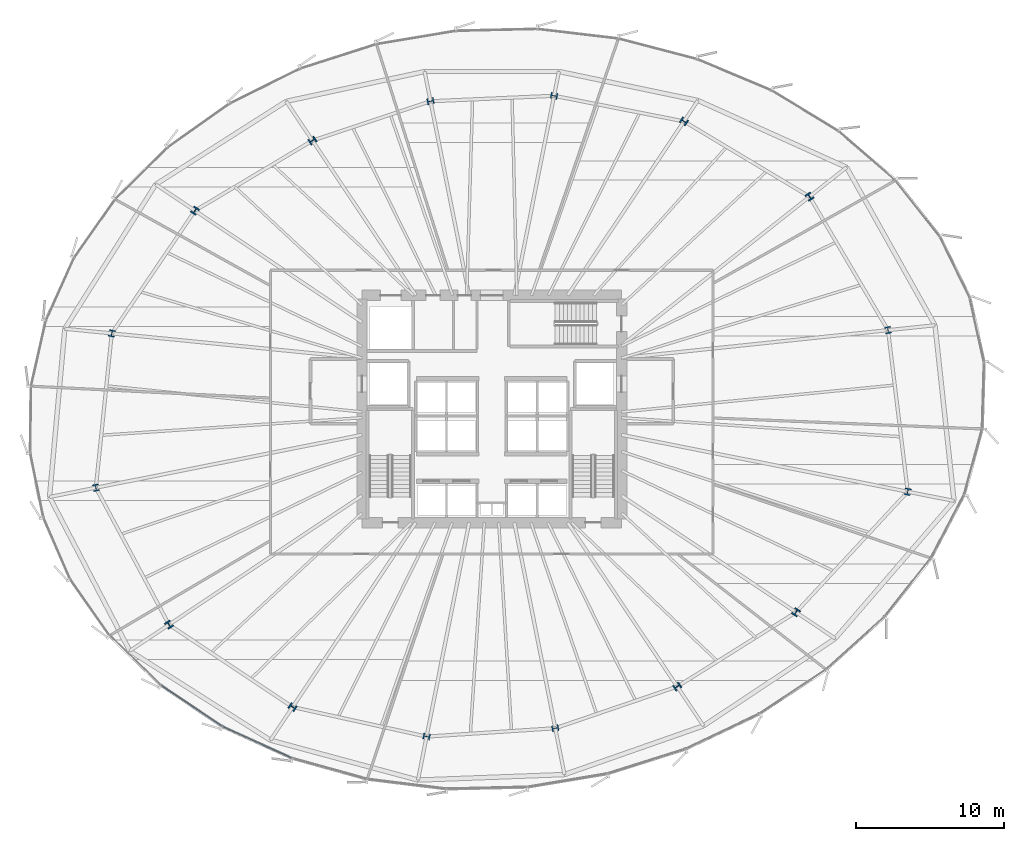
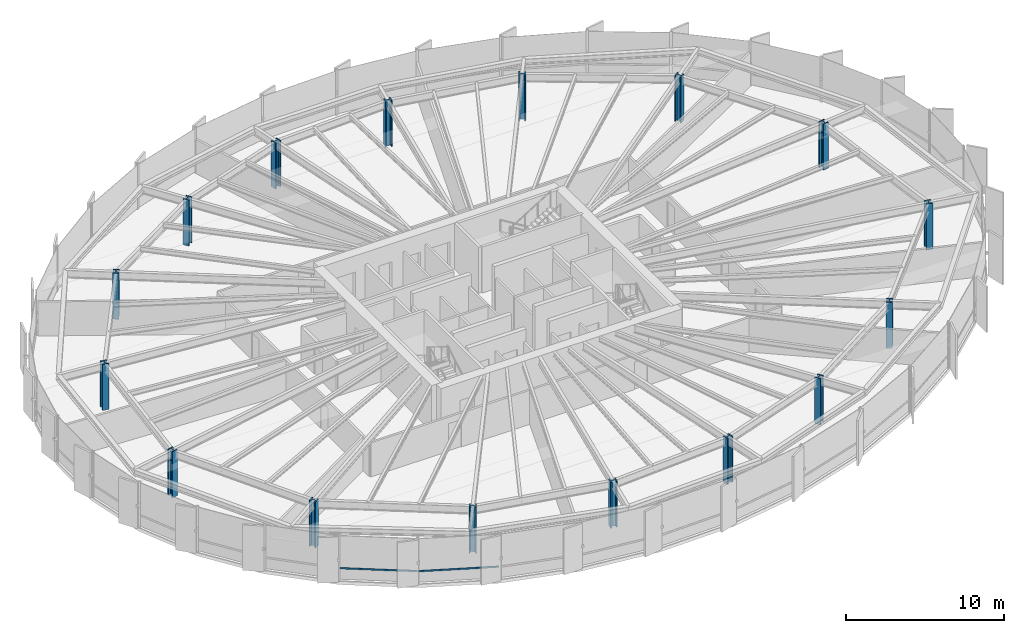
# One storey, part 1 of 38: 16 columns, 2 members, 1 element without a shape of its own.
"""IFC4 building model written with IfcOpenShell, lengths in metres."""

from ifc_helpers import new_model, si_unit, direction, frame, origin, origin_2d, place, context, subcontext, project, spatial, hollow_rectangle, i_section, extrude, source, transform, mapped, material, layer, layer_set, material_profile, profile_set, type_object, element, aggregate, save


model = new_model("IFC4")

# Units and contexts
model_context = context("Model", 3, precision=1e-05, world=origin(), true_north=direction((0.0, 1.0)))
body_context = subcontext(model_context, "Body", "Model", "MODEL_VIEW")
ifc_project = project(units=[si_unit("LENGTHUNIT", "METRE"), si_unit("AREAUNIT", "SQUARE_METRE"), si_unit("VOLUMEUNIT", "CUBIC_METRE"), si_unit("PLANEANGLEUNIT", "RADIAN"), si_unit("MASSUNIT", "GRAM", prefix="KILO"), si_unit("THERMODYNAMICTEMPERATUREUNIT", "KELVIN")], contexts=[model_context])

# Site, building, storey
site_placement = place(None, origin())
site = spatial("IfcSite", under=ifc_project, at=site_placement, CompositionType="ELEMENT")
building_placement = place(site_placement, origin())
building = spatial("IfcBuilding", under=site, at=building_placement, Name="Kethvar Cultural Tower", CompositionType="ELEMENT")
storey_placement = place(building_placement, frame((0.0, 0.0, 52.39990234375)))
storey = spatial("IfcBuildingStorey", under=building, at=storey_placement, Name="L12", CompositionType="ELEMENT", Elevation=52.39990234375)

# Columns
ifc_material_1 = material(Name="Steel S460M", Category="steel")
ifc_material_profile_1 = material_profile(ifc_material_1, i_section(OverallWidth=0.423095703125, OverallDepth=0.468994140625, WebThickness=0.051025390625, FlangeThickness=0.0810546875, FilletRadius=0.014892578125, at=origin_2d()), Name="Steel S460M — HD400x1086")
ifc_profile_set_1 = profile_set([ifc_material_profile_1], Name="Steel S460M — HD400x1086")
column_type = type_object("IfcColumnType", Name="COL-HD1086", PredefinedType="COLUMN", material=ifc_profile_set_1)
shared_shape_1 = source(origin(), body_context, "Body", "SweptSolid", [
    extrude(i_section(OverallWidth=0.423095703125, OverallDepth=0.468994140625, WebThickness=0.051025390625, FlangeThickness=0.0810546875, FilletRadius=0.014892578125, at=origin_2d()), origin(), (0.0, 0.0, 1.0), 3.550048828125),
])
for number, where, z_axis, x_axis, name in (
    (1, (73.65673828125, 33.14208984375, 0.0), (0.0, 0.0, 1.0), (0.980785280403, 0.195090322016, 0.0), "L12 Mega-Column MC-01"),
    (2, (68.33642578125, 42.190185546875, 0.0), (0.0, 0.0, 1.0), (0.831469612303, 0.55557023302, 0.0), "L12 Mega-Column MC-02"),
    (3, (59.824951171875, 47.293212890625, 0.0), (0.0, 0.0, 1.0), (0.55557023302, 0.831469612303, 0.0), "L12 Mega-Column MC-03"),
    (4, (51.022216796875, 49.02587890625, 0.0), (0.0, 0.0, 1.0), (0.195090322016, 0.980785280403, 0.0), "L12 Mega-Column MC-04"),
    (5, (42.651611328125, 48.65576171875, 0.0), (0.0, 0.0, 1.0), (-0.195090322016, 0.980785280403, 0.0), "L12 Mega-Column MC-05"),
    (6, (34.64599609375, 45.98974609375, 0.0), (0.0, 0.0, 1.0), (-0.55557023302, 0.831469612303, 0.0), "L12 Mega-Column MC-06"),
    (7, (26.6845703125, 41.24072265625, 0.0), (0.0, 0.0, 1.0), (-0.831469612303, 0.55557023302, 0.0), "L12 Mega-Column MC-07"),
    (8, (21.047119140625, 32.922607421875, 0.0), (0.0, 0.0, 1.0), (-0.980785280403, 0.195090322016, 0.0), "L12 Mega-Column MC-08"),
    (9, (19.9658203125, 22.46240234375, 0.0), (0.0, 0.0, 1.0), (-0.980785280403, -0.195090322016, 0.0), "L12 Mega-Column MC-09"),
    (10, (24.9248046875, 13.183349609375, 0.0), (0.0, 0.0, 1.0), (-0.831469612303, -0.55557023302, 0.0), "L12 Mega-Column MC-10"),
    (11, (33.302001953125, 7.598876953125, 0.0), (0.0, 0.0, 1.0), (-0.55557023302, -0.831469612303, 0.0), "L12 Mega-Column MC-11"),
    (12, (42.38330078125, 5.59619140625, 0.0), (0.0, 0.0, 1.0), (-0.195090322016, -0.980785280403, 0.0), "L12 Mega-Column MC-12"),
    (13, (51.10400390625, 6.16259765625, 0.0), (0.0, 0.0, 1.0), (0.195090322016, -0.980785280403, 0.0), "L12 Mega-Column MC-13"),
    (14, (59.370361328125, 8.987060546875, 0.0), (0.0, 0.0, 1.0), (0.55557023302, -0.831469612303, 0.0), "L12 Mega-Column MC-14"),
    (15, (67.41845703125, 14.023193359375, 0.0), (0.0, 0.0, 1.0), (0.831469612303, -0.55557023302, 0.0), "L12 Mega-Column MC-15"),
    (16, (74.9912109375, 22.1923828125, 0.0), (0.0, 0.0, 1.0), (0.980785280403, -0.195090322016, 0.0), "L12 Mega-Column MC-16"),
):
    element("IfcColumn", number, at=place(storey_placement, frame(where, z_axis=z_axis, x_axis=x_axis)), inside=storey, type_object=column_type, Name=name, PredefinedType="COLUMN", context=body_context, shape_type="MappedRepresentation", body=[
        mapped(shared_shape_1, transform((0.0, 0.0, 0.0), scale=1.0)),
    ])

# Curtain wall, members
ifc_material_2 = material(Name="Aluminium 6063-T6", Category="aluminium")
ifc_layer = layer(ifc_material_2, 0.179931640625, Name="Aluminium 6063-T6", Category="aluminium")
ifc_layer_set = layer_set([ifc_layer], Name="Aluminium 6063-T6 (180 mm)")
curtain_wall_type = type_object("IfcCurtainWallType", Name="CW-SYS-02-Z1", PredefinedType="NOTDEFINED", material=ifc_layer_set)
curtain_wall_placement = place(storey_placement, origin())
curtain_wall = element("IfcCurtainWall", 17, at=curtain_wall_placement, inside=storey, type_object=curtain_wall_type, Name="L12 Curtain Wall Run 04", PredefinedType="NOTDEFINED")
ifc_material_profile_2 = material_profile(ifc_material_2, hollow_rectangle(XDim=0.054931640625, YDim=0.1201171875, WallThickness=0.00390625, at=origin_2d()), Name="Aluminium 6063-T6 — RHS120x55x4")
ifc_profile_set_2 = profile_set([ifc_material_profile_2], Name="Aluminium 6063-T6 — RHS120x55x4")
member_type = type_object("IfcMemberType", Name="CW-SYS-02-Z1-TRN", PredefinedType="USERDEFINED", material=ifc_profile_set_2)
shared_shape_2 = source(origin(), body_context, "Body", "SweptSolid", [
    extrude(hollow_rectangle(XDim=0.054931640625, YDim=0.1201171875, WallThickness=0.00390625, at=origin_2d()), origin(), (0.0, 0.0, 1.0), 5.097412109375),
])
member_1_placement = place(storey_placement, frame((28.57861328125, 6.270263671875, 0.9501953125), z_axis=(0.910277885073, -0.413997792201, 0.0), x_axis=(0.413997792201, 0.910277885073, 0.0)))
member_1 = element("IfcMember", 18, at=member_1_placement, type_object=member_type, Name="CW-L12-R04 Transom 6", ObjectType="TRANSOM", PredefinedType="USERDEFINED", context=body_context, shape_type="MappedRepresentation", body=[
    mapped(shared_shape_2, transform((0.0, 0.0, 0.0), scale=1.0)),
])
shared_shape_3 = source(origin(), body_context, "Body", "SweptSolid", [
    extrude(hollow_rectangle(XDim=0.054931640625, YDim=0.1201171875, WallThickness=0.00390625, at=origin_2d()), origin(), (0.0, 0.0, 1.0), 4.931640625),
])
member_2_placement = place(storey_placement, frame((24.42333984375, 9.059814453125, 0.9501953125), z_axis=(0.829559081627, -0.558418955705, 0.0), x_axis=(0.558418955705, 0.829559081627, 0.0)))
member_2 = element("IfcMember", 19, at=member_2_placement, type_object=member_type, Name="CW-L12-R04 Transom 5", ObjectType="TRANSOM", PredefinedType="USERDEFINED", context=body_context, shape_type="MappedRepresentation", body=[
    mapped(shared_shape_3, transform((0.0, 0.0, 0.0), scale=1.0)),
])
aggregate(curtain_wall, [member_2, member_1])

save(model, "model.ifc")
